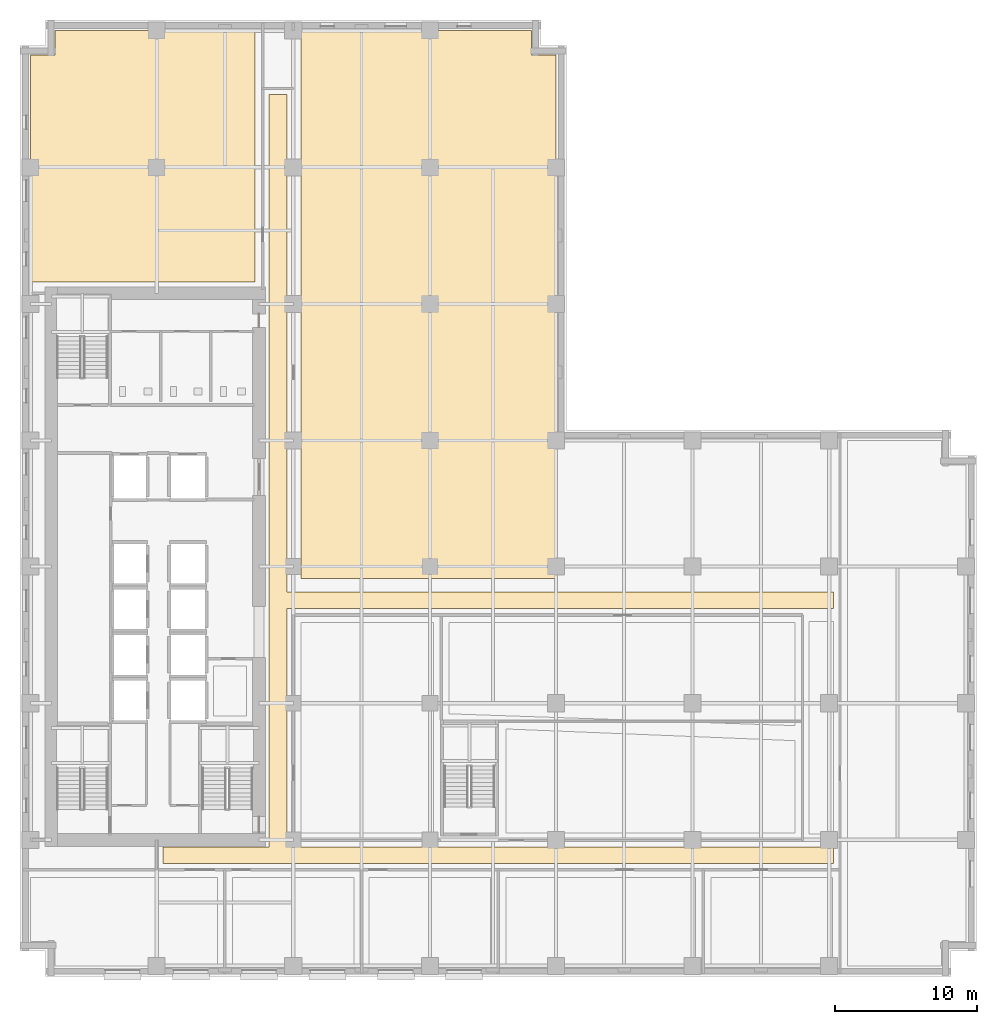
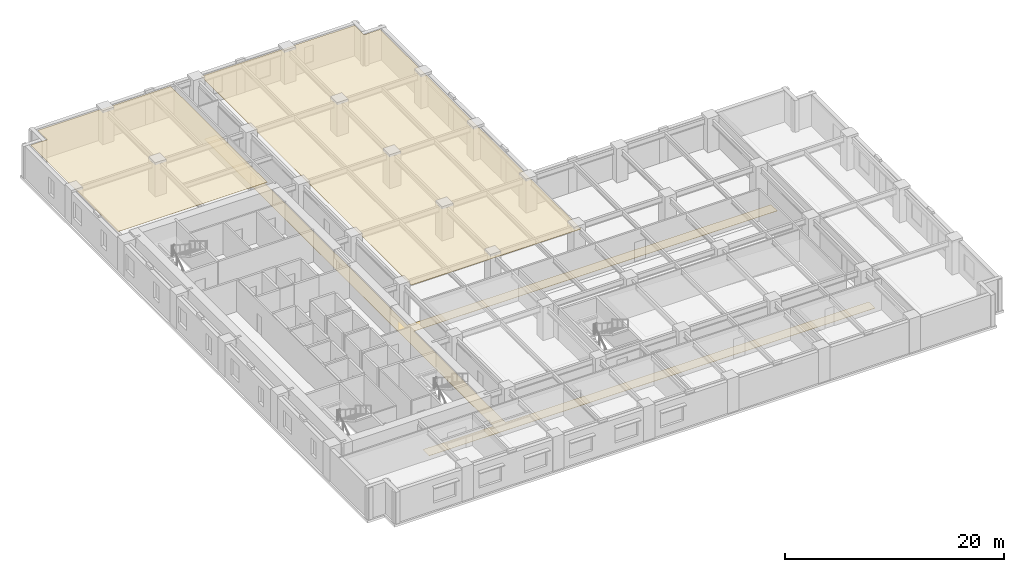
# One storey, part 13 of 14: 3 coverings.
"""IFC4 building model written with IfcOpenShell, lengths in metres."""

from ifc_helpers import new_model, si_unit, direction, frame, origin, place, context, subcontext, project, spatial, polyline, outline, extrude, material, layer, layer_set, type_object, element, save


model = new_model("IFC4")

# Units and contexts
model_context = context("Model", 3, precision=1e-05, world=origin(), true_north=direction((0.0, 1.0)))
body_context = subcontext(model_context, "Body", "Model", "MODEL_VIEW")
ifc_project = project(units=[si_unit("LENGTHUNIT", "METRE"), si_unit("AREAUNIT", "SQUARE_METRE"), si_unit("VOLUMEUNIT", "CUBIC_METRE"), si_unit("PLANEANGLEUNIT", "RADIAN"), si_unit("MASSUNIT", "GRAM", prefix="KILO")], contexts=[model_context])

# Site, building, storey
site_placement = place(None, origin())
site = spatial("IfcSite", under=ifc_project, at=site_placement, CompositionType="ELEMENT")
building_placement = place(site_placement, origin())
building = spatial("IfcBuilding", under=site, at=building_placement, Name="Norrvale University Quadrangle", CompositionType="ELEMENT")
storey_placement = place(building_placement, frame((0.0, 0.0, 28.0)))
storey = spatial("IfcBuildingStorey", under=building, at=storey_placement, Name="L06", CompositionType="ELEMENT", Elevation=28.0)

# Coverings
ifc_material_1 = material(Name="Perforated Acoustic Mineral Ceiling")
ifc_layer_1 = layer(ifc_material_1, 0.02490234375, Name="Perforated Acoustic Mineral Ceiling")
ifc_layer_set_1 = layer_set([ifc_layer_1], Name="Perforated Acoustic Mineral Ceiling")
covering_type_1 = type_object("IfcCoveringType", Name="Covering Acoustic Ceiling 25", PredefinedType="CEILING", material=ifc_layer_set_1)
covering_1_placement = place(storey_placement, frame((0.0, 0.0, 3.514892578125)))
element("IfcCovering", 1, at=covering_1_placement, inside=storey, type_object=covering_type_1, Name="Acoustic Ceiling RM-L06-NE01", PredefinedType="CEILING", context=body_context, shape_type="SweptSolid", body=[
    extrude(outline(polyline([(37.64990234375, 27.97998046875), (19.72998046875, 27.97998046875), (19.72998046875, 66.449951171875), (35.929931640625, 66.449951171875), (35.929931640625, 64.72998046875), (37.64990234375, 64.72998046875), (37.64990234375, 27.97998046875)])), origin(), (0.0, 0.0, 1.0), 0.025146484375),
])
covering_2_placement = place(storey_placement, frame((0.0, 0.0, 3.514892578125)))
element("IfcCovering", 2, at=covering_2_placement, inside=storey, type_object=covering_type_1, Name="Acoustic Ceiling RM-L06-NW01", PredefinedType="CEILING", context=body_context, shape_type="SweptSolid", body=[
    extrude(outline(polyline([(16.52001953125, 66.449951171875), (16.52001953125, 48.780029296875), (0.75, 48.780029296875), (0.75, 64.72998046875), (2.469970703125, 64.72998046875), (2.469970703125, 66.449951171875), (16.52001953125, 66.449951171875)])), origin(), (0.0, 0.0, 1.0), 0.025146484375),
])
ifc_material_2 = material(Name="Polished Terrazzo Flooring")
ifc_layer_2 = layer(ifc_material_2, 0.02490234375, Name="Polished Terrazzo Flooring")
ifc_layer_set_2 = layer_set([ifc_layer_2], Name="Polished Terrazzo Flooring")
covering_type_2 = type_object("IfcCoveringType", Name="Covering Terrazzo Floor 30", PredefinedType="FLOORING", material=ifc_layer_set_2)
covering_3_placement = place(storey_placement, origin())
element("IfcCovering", 3, at=covering_3_placement, inside=storey, type_object=covering_type_2, Name="Terrazzo Flooring RM-L06-CORR1", PredefinedType="FLOORING", context=body_context, shape_type="SweptSolid", body=[
    extrude(outline(polyline([(10.050048828125, 7.949951171875), (10.050048828125, 9.10009765625), (17.5, 9.10009765625), (17.5, 61.949951171875), (18.75, 61.949951171875), (18.75, 27.0), (57.14990234375, 27.0), (57.14990234375, 25.85009765625), (18.75, 25.85009765625), (18.75, 9.10009765625), (57.14990234375, 9.10009765625), (57.14990234375, 7.949951171875), (10.050048828125, 7.949951171875)])), origin(), (0.0, 0.0, 1.0), 0.02490234375),
])

save(model, "model.ifc")
